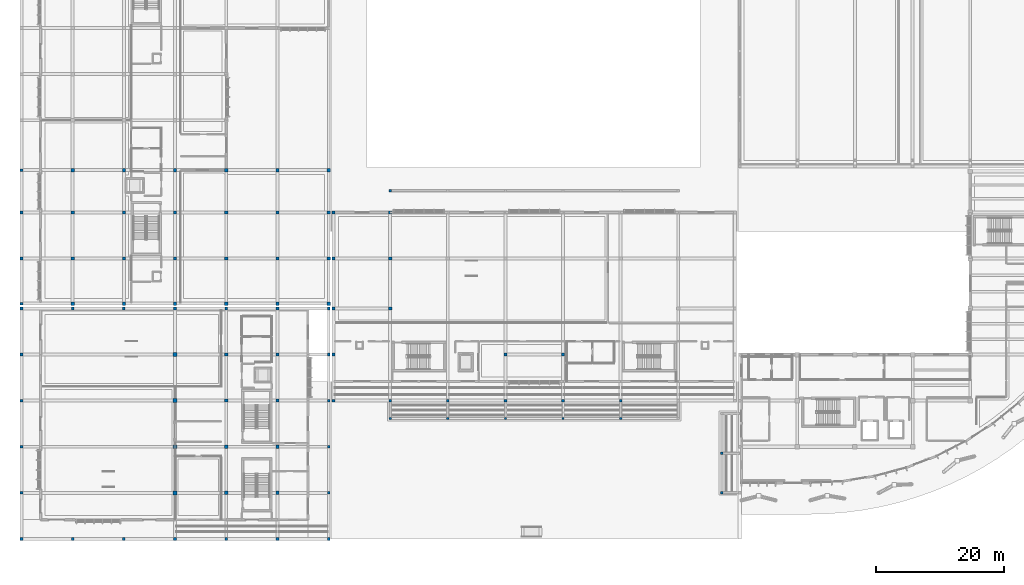
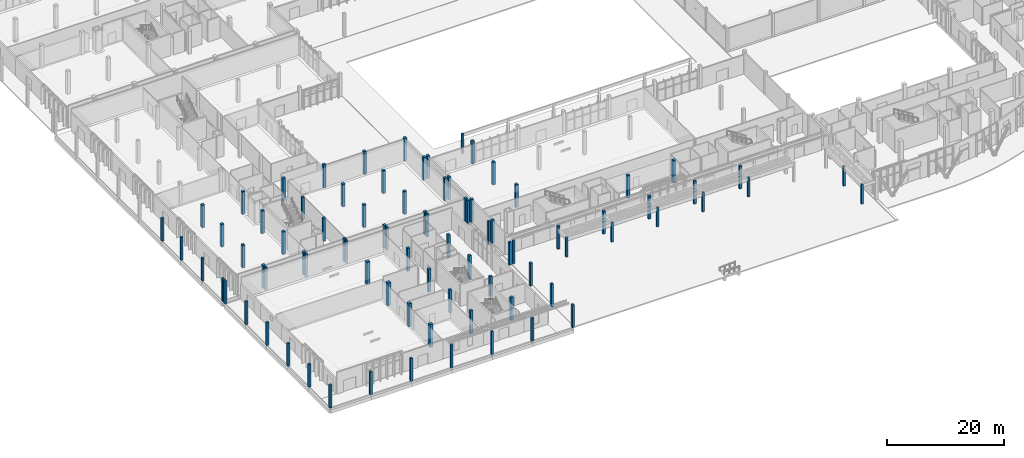
# One storey, part 1 of 151: 85 columns.
"""IFC4 building model written with IfcOpenShell, lengths in metres."""

from ifc_helpers import new_model, si_unit, direction, frame, origin, origin_2d, place, context, subcontext, project, spatial, rectangle, extrude, material, material_profile, profile_set, type_object, element, save


model = new_model("IFC4")

# Units and contexts
model_context = context("Model", 3, precision=1e-05, world=origin(), true_north=direction((0.0, 1.0)))
body_context = subcontext(model_context, "Body", "Model", "MODEL_VIEW")
ifc_project = project(units=[si_unit("LENGTHUNIT", "METRE"), si_unit("AREAUNIT", "SQUARE_METRE"), si_unit("VOLUMEUNIT", "CUBIC_METRE"), si_unit("PLANEANGLEUNIT", "RADIAN"), si_unit("MASSUNIT", "GRAM", prefix="KILO")], contexts=[model_context])

# Site, building, storey
site_placement = place(None, origin())
site = spatial("IfcSite", under=ifc_project, at=site_placement, CompositionType="ELEMENT")
building_placement = place(site_placement, origin())
building = spatial("IfcBuilding", under=site, at=building_placement, Name="Chiffa Square Polytechnic", CompositionType="ELEMENT")
storey_placement = place(building_placement, origin())
storey = spatial("IfcBuildingStorey", under=building, at=storey_placement, Name="L00", CompositionType="ELEMENT", Elevation=0.0)

# Columns
ifc_material_1 = material(Name="Glulam GL32c", Category="wood")
ifc_material_profile_1 = material_profile(ifc_material_1, rectangle(XDim=0.360107421875, YDim=0.360107421875, at=origin_2d()), Name="GL32c 360x360")
ifc_profile_set_1 = profile_set([ifc_material_profile_1], Name="Glulam GL32c")
column_type_1 = type_object("IfcColumnType", Name="COL-GL-360", PredefinedType="COLUMN", material=ifc_profile_set_1)
column_placement = place(storey_placement, frame((57.60009765625, 54.39990234375, 0.0), z_axis=(0.0, 0.0, 1.0), x_axis=(1.0, 0.0, 0.0)))
element("IfcColumn", 1, at=column_placement, inside=storey, type_object=column_type_1, Name="Courtyard pergola post COL-CY-L00-01", PredefinedType="COLUMN", context=body_context, shape_type="SweptSolid", body=[
    extrude(rectangle(XDim=0.360107421875, YDim=0.360107421875, at=origin_2d()), origin(), (0.0, 0.0, 1.0), 4.199951171875),
])
for number, where, z_axis, x_axis, name in (
    (2, (57.60009765625, 18.800048828125, 0.0), (0.0, 0.0, 1.0), (1.0, 0.0, 0.0), "Civic square north portico glulam post COL-SQN-L00-01"),
    (3, (66.60009765625, 18.800048828125, 0.0), (0.0, 0.0, 1.0), (1.0, 0.0, 0.0), "Civic square north portico glulam post COL-SQN-L00-02"),
    (4, (75.60009765625, 18.800048828125, 0.0), (0.0, 0.0, 1.0), (1.0, 0.0, 0.0), "Civic square north portico glulam post COL-SQN-L00-03"),
    (5, (84.60009765625, 18.800048828125, 0.0), (0.0, 0.0, 1.0), (1.0, 0.0, 0.0), "Civic square north portico glulam post COL-SQN-L00-04"),
    (6, (93.60009765625, 18.800048828125, 0.0), (0.0, 0.0, 1.0), (1.0, 0.0, 0.0), "Civic square north portico glulam post COL-SQN-L00-05"),
    (7, (109.39990234375, 7.199951171875, 0.0), (0.0, 0.0, 1.0), (1.0, 0.0, 0.0), "Civic square east portico glulam post COL-SQE-L00-01"),
    (8, (109.39990234375, 13.39990234375, 0.0), (0.0, 0.0, 1.0), (1.0, 0.0, 0.0), "Civic square east portico glulam post COL-SQE-L00-02"),
):
    element("IfcColumn", number, at=place(storey_placement, frame(where, z_axis=z_axis, x_axis=x_axis)), inside=storey, type_object=column_type_1, Name=name, PredefinedType="COLUMN", context=body_context, shape_type="SweptSolid", body=[
        extrude(rectangle(XDim=0.360107421875, YDim=0.360107421875, at=origin_2d()), origin(), (0.0, 0.0, 1.0), 4.10009765625),
    ])
ifc_material_profile_2 = material_profile(ifc_material_1, rectangle(XDim=0.419921875, YDim=0.419921875, at=origin_2d()), Name="GL32c 420x420")
ifc_profile_set_2 = profile_set([ifc_material_profile_2], Name="Glulam GL32c")
column_type_2 = type_object("IfcColumnType", Name="COL-GL-420", PredefinedType="COLUMN", material=ifc_profile_set_2)
for number, where, z_axis, x_axis, name in (
    (9, (0.0, 0.0, 0.0), (0.0, 0.0, 1.0), (1.0, 0.0, 0.0), "Column C-V3-L00-0000-0000"),
    (10, (0.0, 7.199951171875, 0.0), (0.0, 0.0, 1.0), (1.0, 0.0, 0.0), "Column C-V3-L00-0000-0072"),
    (11, (0.0, 14.39990234375, 0.0), (0.0, 0.0, 1.0), (1.0, 0.0, 0.0), "Column C-V3-L00-0000-0144"),
    (12, (0.0, 21.60009765625, 0.0), (0.0, 0.0, 1.0), (1.0, 0.0, 0.0), "Column C-V3-L00-0000-0216"),
    (13, (0.0, 28.800048828125, 0.0), (0.0, 0.0, 1.0), (1.0, 0.0, 0.0), "Column C-V3-L00-0000-0288"),
    (14, (0.0, 36.0, 0.0), (0.0, 0.0, 1.0), (1.0, 0.0, 0.0), "Column C-V3-L00-0000-0360"),
    (15, (8.0, 0.0, 0.0), (0.0, 0.0, 1.0), (1.0, 0.0, 0.0), "Column C-V3-L00-0080-0000"),
    (16, (8.0, 36.0, 0.0), (0.0, 0.0, 1.0), (1.0, 0.0, 0.0), "Column C-V3-L00-0080-0360"),
    (17, (16.0, 0.0, 0.0), (0.0, 0.0, 1.0), (1.0, 0.0, 0.0), "Column C-V3-L00-0160-0000"),
    (18, (16.0, 36.0, 0.0), (0.0, 0.0, 1.0), (1.0, 0.0, 0.0), "Column C-V3-L00-0160-0360"),
    (19, (24.0, 0.0, 0.0), (0.0, 0.0, 1.0), (1.0, 0.0, 0.0), "Column C-V3-L00-0240-0000"),
    (20, (24.0, 36.0, 0.0), (0.0, 0.0, 1.0), (1.0, 0.0, 0.0), "Column C-V3-L00-0240-0360"),
    (21, (32.0, 0.0, 0.0), (0.0, 0.0, 1.0), (1.0, 0.0, 0.0), "Column C-V3-L00-0320-0000"),
    (22, (32.0, 36.0, 0.0), (0.0, 0.0, 1.0), (1.0, 0.0, 0.0), "Column C-V3-L00-0320-0360"),
    (23, (40.0, 0.0, 0.0), (0.0, 0.0, 1.0), (1.0, 0.0, 0.0), "Column C-V3-L00-0400-0000"),
    (24, (40.0, 36.0, 0.0), (0.0, 0.0, 1.0), (1.0, 0.0, 0.0), "Column C-V3-L00-0400-0360"),
    (25, (48.0, 0.0, 0.0), (0.0, 0.0, 1.0), (1.0, 0.0, 0.0), "Column C-V3-L00-0480-0000"),
    (26, (48.0, 7.199951171875, 0.0), (0.0, 0.0, 1.0), (1.0, 0.0, 0.0), "Column C-V3-L00-0480-0072"),
    (27, (48.0, 14.39990234375, 0.0), (0.0, 0.0, 1.0), (1.0, 0.0, 0.0), "Column C-V3-L00-0480-0144"),
    (28, (48.0, 21.60009765625, 0.0), (0.0, 0.0, 1.0), (1.0, 0.0, 0.0), "Column C-V3-L00-0480-0216"),
    (29, (48.0, 28.800048828125, 0.0), (0.0, 0.0, 1.0), (1.0, 0.0, 0.0), "Column C-V3-L00-0480-0288"),
    (30, (48.0, 36.0, 0.0), (0.0, 0.0, 1.0), (1.0, 0.0, 0.0), "Column C-V3-L00-0480-0360"),
    (31, (48.75, 21.60009765625, 0.0), (0.0, 0.0, 1.0), (1.0, 0.0, 0.0), "Column C-V4-L00-0488-0216"),
    (32, (57.60009765625, 21.60009765625, 0.0), (0.0, 0.0, 1.0), (1.0, 0.0, 0.0), "Column C-V4-L00-0576-0216"),
    (33, (66.60009765625, 21.60009765625, 0.0), (0.0, 0.0, 1.0), (1.0, 0.0, 0.0), "Column C-V4-L00-0666-0216"),
    (34, (75.60009765625, 21.60009765625, 0.0), (0.0, 0.0, 1.0), (1.0, 0.0, 0.0), "Column C-V4-L00-0756-0216"),
    (35, (84.60009765625, 21.60009765625, 0.0), (0.0, 0.0, 1.0), (1.0, 0.0, 0.0), "Column C-V4-L00-0846-0216"),
    (36, (93.60009765625, 21.60009765625, 0.0), (0.0, 0.0, 1.0), (1.0, 0.0, 0.0), "Column C-V4-L00-0936-0216"),
    (37, (0.0, 36.75, 0.0), (0.0, 0.0, 1.0), (1.0, 0.0, 0.0), "Column C-V6-L00-0000-0368"),
    (38, (0.0, 43.800048828125, 0.0), (0.0, 0.0, 1.0), (1.0, 0.0, 0.0), "Column C-V6-L00-0000-0438"),
    (39, (0.0, 51.0, 0.0), (0.0, 0.0, 1.0), (1.0, 0.0, 0.0), "Column C-V6-L00-0000-0510"),
    (40, (0.0, 57.60009765625, 0.0), (0.0, 0.0, 1.0), (1.0, 0.0, 0.0), "Column C-V6-L00-0000-0576"),
):
    element("IfcColumn", number, at=place(storey_placement, frame(where, z_axis=z_axis, x_axis=x_axis)), inside=storey, type_object=column_type_2, Name=name, PredefinedType="COLUMN", context=body_context, shape_type="SweptSolid", body=[
        extrude(rectangle(XDim=0.419921875, YDim=0.419921875, at=origin_2d()), origin(), (0.0, 0.0, 1.0), 4.800048828125),
    ])
ifc_material_2 = material(Name="Concrete C35/45", Category="concrete")
ifc_material_profile_3 = material_profile(ifc_material_2, rectangle(XDim=0.5, YDim=0.5, at=origin_2d()), Name="RC 500x500")
ifc_profile_set_3 = profile_set([ifc_material_profile_3], Name="Concrete C35/45")
column_type_3 = type_object("IfcColumnType", Name="COL-RC-500", PredefinedType="COLUMN", material=ifc_profile_set_3)
for number, where, z_axis, x_axis, name in (
    (41, (32.0, 7.199951171875, 0.0), (0.0, 0.0, 1.0), (1.0, 0.0, 0.0), "Column C-V3-L00-0320-0072"),
    (42, (32.0, 14.39990234375, 0.0), (0.0, 0.0, 1.0), (1.0, 0.0, 0.0), "Column C-V3-L00-0320-0144"),
    (43, (32.0, 21.60009765625, 0.0), (0.0, 0.0, 1.0), (1.0, 0.0, 0.0), "Column C-V3-L00-0320-0216"),
    (44, (32.0, 28.800048828125, 0.0), (0.0, 0.0, 1.0), (1.0, 0.0, 0.0), "Column C-V3-L00-0320-0288"),
    (45, (40.0, 7.199951171875, 0.0), (0.0, 0.0, 1.0), (1.0, 0.0, 0.0), "Column C-V3-L00-0400-0072"),
    (46, (40.0, 14.39990234375, 0.0), (0.0, 0.0, 1.0), (1.0, 0.0, 0.0), "Column C-V3-L00-0400-0144"),
    (47, (40.0, 21.60009765625, 0.0), (0.0, 0.0, 1.0), (1.0, 0.0, 0.0), "Column C-V3-L00-0400-0216"),
    (48, (40.0, 28.800048828125, 0.0), (0.0, 0.0, 1.0), (1.0, 0.0, 0.0), "Column C-V3-L00-0400-0288"),
    (49, (48.75, 28.800048828125, 0.0), (0.0, 0.0, 1.0), (1.0, 0.0, 0.0), "Column C-V4-L00-0488-0288"),
    (50, (48.75, 36.0, 0.0), (0.0, 0.0, 1.0), (1.0, 0.0, 0.0), "Column C-V4-L00-0488-0360"),
    (51, (48.75, 43.800048828125, 0.0), (0.0, 0.0, 1.0), (1.0, 0.0, 0.0), "Column C-V4-L00-0488-0438"),
    (52, (48.75, 51.0, 0.0), (0.0, 0.0, 1.0), (1.0, 0.0, 0.0), "Column C-V4-L00-0488-0510"),
    (53, (57.60009765625, 36.0, 0.0), (0.0, 0.0, 1.0), (1.0, 0.0, 0.0), "Column C-V4-L00-0576-0360"),
    (54, (57.60009765625, 43.800048828125, 0.0), (0.0, 0.0, 1.0), (1.0, 0.0, 0.0), "Column C-V4-L00-0576-0438"),
    (55, (57.60009765625, 51.0, 0.0), (0.0, 0.0, 1.0), (1.0, 0.0, 0.0), "Column C-V4-L00-0576-0510"),
    (56, (75.60009765625, 28.800048828125, 0.0), (0.0, 0.0, 1.0), (1.0, 0.0, 0.0), "Column C-V4-L00-0756-0288"),
    (57, (84.60009765625, 28.800048828125, 0.0), (0.0, 0.0, 1.0), (1.0, 0.0, 0.0), "Column C-V4-L00-0846-0288"),
    (58, (8.0, 36.75, 0.0), (0.0, 0.0, 1.0), (1.0, 0.0, 0.0), "Column C-V6-L00-0080-0368"),
    (59, (8.0, 43.800048828125, 0.0), (0.0, 0.0, 1.0), (1.0, 0.0, 0.0), "Column C-V6-L00-0080-0438"),
    (60, (8.0, 51.0, 0.0), (0.0, 0.0, 1.0), (1.0, 0.0, 0.0), "Column C-V6-L00-0080-0510"),
    (61, (8.0, 57.60009765625, 0.0), (0.0, 0.0, 1.0), (1.0, 0.0, 0.0), "Column C-V6-L00-0080-0576"),
    (62, (16.0, 36.75, 0.0), (0.0, 0.0, 1.0), (1.0, 0.0, 0.0), "Column C-V6-L00-0160-0368"),
    (63, (16.0, 43.800048828125, 0.0), (0.0, 0.0, 1.0), (1.0, 0.0, 0.0), "Column C-V6-L00-0160-0438"),
    (64, (16.0, 51.0, 0.0), (0.0, 0.0, 1.0), (1.0, 0.0, 0.0), "Column C-V6-L00-0160-0510"),
    (65, (16.0, 57.60009765625, 0.0), (0.0, 0.0, 1.0), (1.0, 0.0, 0.0), "Column C-V6-L00-0160-0576"),
    (66, (24.0, 36.75, 0.0), (0.0, 0.0, 1.0), (1.0, 0.0, 0.0), "Column C-V6-L00-0240-0368"),
    (67, (24.0, 43.800048828125, 0.0), (0.0, 0.0, 1.0), (1.0, 0.0, 0.0), "Column C-V6-L00-0240-0438"),
    (68, (24.0, 51.0, 0.0), (0.0, 0.0, 1.0), (1.0, 0.0, 0.0), "Column C-V6-L00-0240-0510"),
    (69, (24.0, 57.60009765625, 0.0), (0.0, 0.0, 1.0), (1.0, 0.0, 0.0), "Column C-V6-L00-0240-0576"),
    (70, (32.0, 36.75, 0.0), (0.0, 0.0, 1.0), (1.0, 0.0, 0.0), "Column C-V6-L00-0320-0368"),
    (71, (32.0, 43.800048828125, 0.0), (0.0, 0.0, 1.0), (1.0, 0.0, 0.0), "Column C-V6-L00-0320-0438"),
    (72, (32.0, 51.0, 0.0), (0.0, 0.0, 1.0), (1.0, 0.0, 0.0), "Column C-V6-L00-0320-0510"),
    (73, (32.0, 57.60009765625, 0.0), (0.0, 0.0, 1.0), (1.0, 0.0, 0.0), "Column C-V6-L00-0320-0576"),
    (74, (40.0, 36.75, 0.0), (0.0, 0.0, 1.0), (1.0, 0.0, 0.0), "Column C-V6-L00-0400-0368"),
    (75, (40.0, 43.800048828125, 0.0), (0.0, 0.0, 1.0), (1.0, 0.0, 0.0), "Column C-V6-L00-0400-0438"),
    (76, (40.0, 51.0, 0.0), (0.0, 0.0, 1.0), (1.0, 0.0, 0.0), "Column C-V6-L00-0400-0510"),
    (77, (40.0, 57.60009765625, 0.0), (0.0, 0.0, 1.0), (1.0, 0.0, 0.0), "Column C-V6-L00-0400-0576"),
    (78, (48.0, 36.75, 0.0), (0.0, 0.0, 1.0), (1.0, 0.0, 0.0), "Column C-V6-L00-0480-0368"),
    (79, (48.0, 43.800048828125, 0.0), (0.0, 0.0, 1.0), (1.0, 0.0, 0.0), "Column C-V6-L00-0480-0438"),
    (80, (48.0, 51.0, 0.0), (0.0, 0.0, 1.0), (1.0, 0.0, 0.0), "Column C-V6-L00-0480-0510"),
    (81, (48.0, 57.60009765625, 0.0), (0.0, 0.0, 1.0), (1.0, 0.0, 0.0), "Column C-V6-L00-0480-0576"),
):
    element("IfcColumn", number, at=place(storey_placement, frame(where, z_axis=z_axis, x_axis=x_axis)), inside=storey, type_object=column_type_3, Name=name, PredefinedType="COLUMN", context=body_context, shape_type="SweptSolid", body=[
        extrude(rectangle(XDim=0.5, YDim=0.5, at=origin_2d()), origin(), (0.0, 0.0, 1.0), 4.800048828125),
    ])
ifc_material_3 = material(Name="Concrete C40/50", Category="concrete")
ifc_material_profile_4 = material_profile(ifc_material_3, rectangle(XDim=0.60009765625, YDim=0.60009765625, at=origin_2d()), Name="RC 600x600")
ifc_profile_set_4 = profile_set([ifc_material_profile_4], Name="Concrete C40/50")
column_type_4 = type_object("IfcColumnType", Name="COL-RC-600", PredefinedType="COLUMN", material=ifc_profile_set_4)
for number, where, z_axis, x_axis, name in (
    (82, (24.0, 7.199951171875, 0.0), (0.0, 0.0, 1.0), (1.0, 0.0, 0.0), "Column C-V3-L00-0240-0072"),
    (83, (24.0, 14.39990234375, 0.0), (0.0, 0.0, 1.0), (1.0, 0.0, 0.0), "Column C-V3-L00-0240-0144"),
    (84, (24.0, 21.60009765625, 0.0), (0.0, 0.0, 1.0), (1.0, 0.0, 0.0), "Column C-V3-L00-0240-0216"),
    (85, (24.0, 28.800048828125, 0.0), (0.0, 0.0, 1.0), (1.0, 0.0, 0.0), "Column C-V3-L00-0240-0288"),
):
    element("IfcColumn", number, at=place(storey_placement, frame(where, z_axis=z_axis, x_axis=x_axis)), inside=storey, type_object=column_type_4, Name=name, PredefinedType="COLUMN", context=body_context, shape_type="SweptSolid", body=[
        extrude(rectangle(XDim=0.60009765625, YDim=0.60009765625, at=origin_2d()), origin(), (0.0, 0.0, 1.0), 4.800048828125),
    ])

save(model, "model.ifc")
